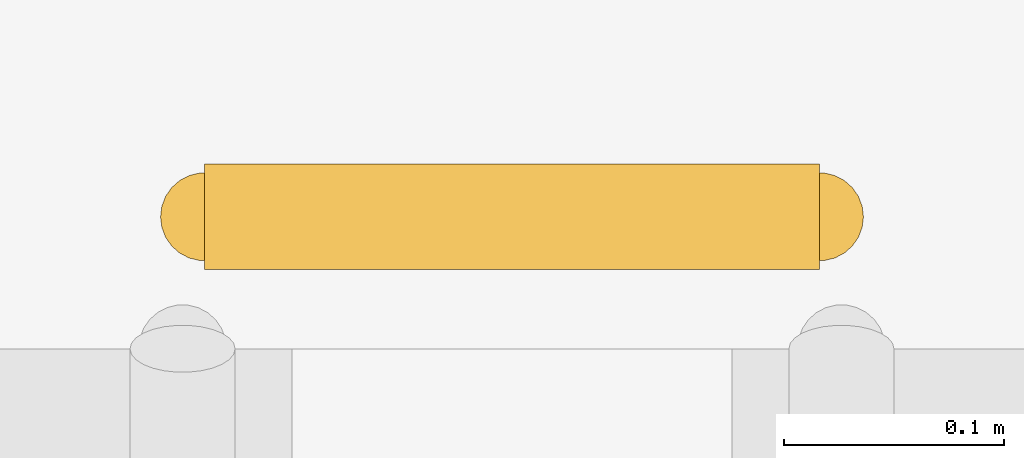
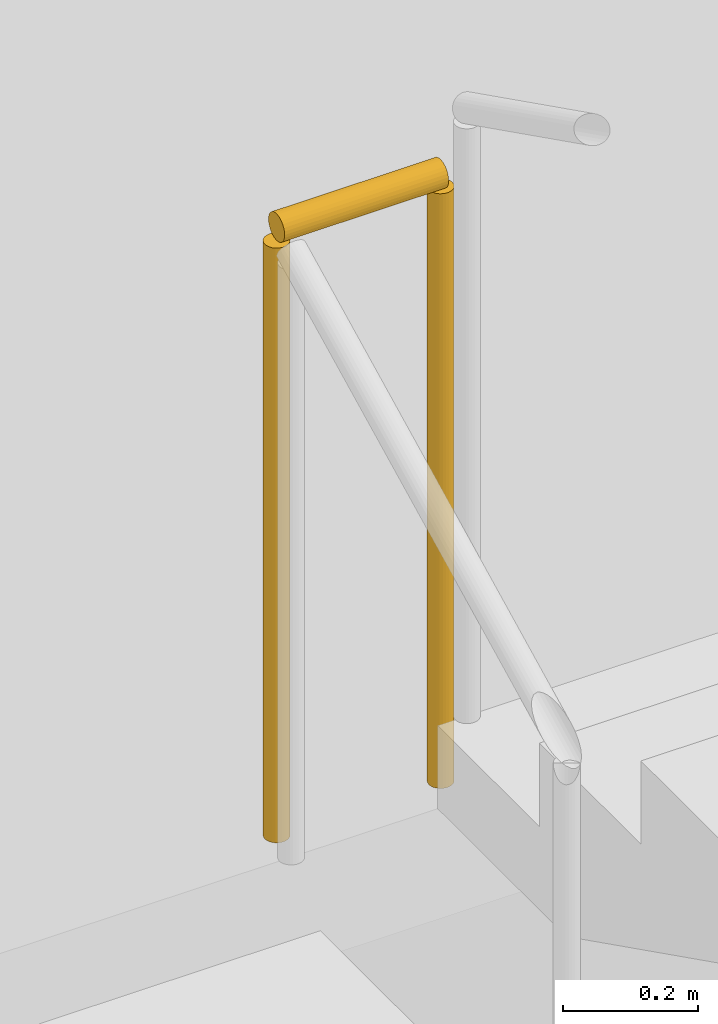
# One storey, part 106 of 118: 1 railing, 1 element without a shape of its own.
"""IFC4 building model written with IfcOpenShell, lengths in metres."""

from ifc_helpers import new_model, si_unit, direction, frame, origin, origin_2d, place, context, subcontext, project, spatial, circle, extrude, material, type_object, element, aggregate, save


model = new_model("IFC4")

# Units and contexts
model_context = context("Model", 3, precision=1e-05, world=origin(), true_north=direction((0.0, 1.0)))
body_context = subcontext(model_context, "Body", "Model", "MODEL_VIEW")
ifc_project = project(units=[si_unit("LENGTHUNIT", "METRE"), si_unit("AREAUNIT", "SQUARE_METRE"), si_unit("VOLUMEUNIT", "CUBIC_METRE"), si_unit("PLANEANGLEUNIT", "RADIAN"), si_unit("MASSUNIT", "GRAM", prefix="KILO")], contexts=[model_context])

# Site, building, storey
site_placement = place(None, origin())
site = spatial("IfcSite", under=ifc_project, at=site_placement, CompositionType="ELEMENT")
building_placement = place(site_placement, origin())
building = spatial("IfcBuilding", under=site, at=building_placement, Name="Kolvaren Corner Interchange", CompositionType="ELEMENT")
storey_placement = place(building_placement, origin())
storey = spatial("IfcBuildingStorey", under=building, at=storey_placement, Name="L01", CompositionType="ELEMENT", Elevation=0.0)

# Stair, railing
ifc_material_1 = material(Name="Concrete C35/45", Category="concrete")
stair_type = type_object("IfcStairType", Name="ST-GL-2000", PredefinedType="HALF_TURN_STAIR", material=ifc_material_1)
stair_placement = place(storey_placement, origin())
stair = element("IfcStair", 1, at=stair_placement, inside=storey, type_object=stair_type, Name="West Racetrack Concourse Gallery Stair L01 to L02 Stair", PredefinedType="HALF_TURN_STAIR")
ifc_material_2 = material(Name="Powder-Coated Steel Stairwell Guardrail", Category="steel")
railing_type = type_object("IfcRailingType", Name="RLT-STAIR-GRD1120", PredefinedType="GUARDRAIL", material=ifc_material_2)
railing_placement = place(storey_placement, frame((50.860107421875, 56.760009765625, 3.0)))
railing = element("IfcRailing", 2, at=railing_placement, type_object=railing_type, Name="West Racetrack Concourse Gallery Stair L01 Half Landing Well Guardrail", PredefinedType="GUARDRAIL", context=body_context, shape_type="SweptSolid", body=[
    extrude(circle(Radius=0.02392578125, at=origin_2d()), frame((0.0, 0.0, 1.09619140625), z_axis=(1.0, 0.0, 0.0), x_axis=(0.0, 1.0, 0.0)), (0.0, 0.0, 1.0), 0.27978515625),
    extrude(circle(Radius=0.02001953125, at=origin_2d()), origin(), (0.0, 0.0, 1.0), 1.072021484375),
    extrude(circle(Radius=0.02001953125, at=origin_2d()), frame((0.27978515625, 0.0, 0.0)), (0.0, 0.0, 1.0), 1.072021484375),
])
aggregate(stair, [railing])

save(model, "model.ifc")
